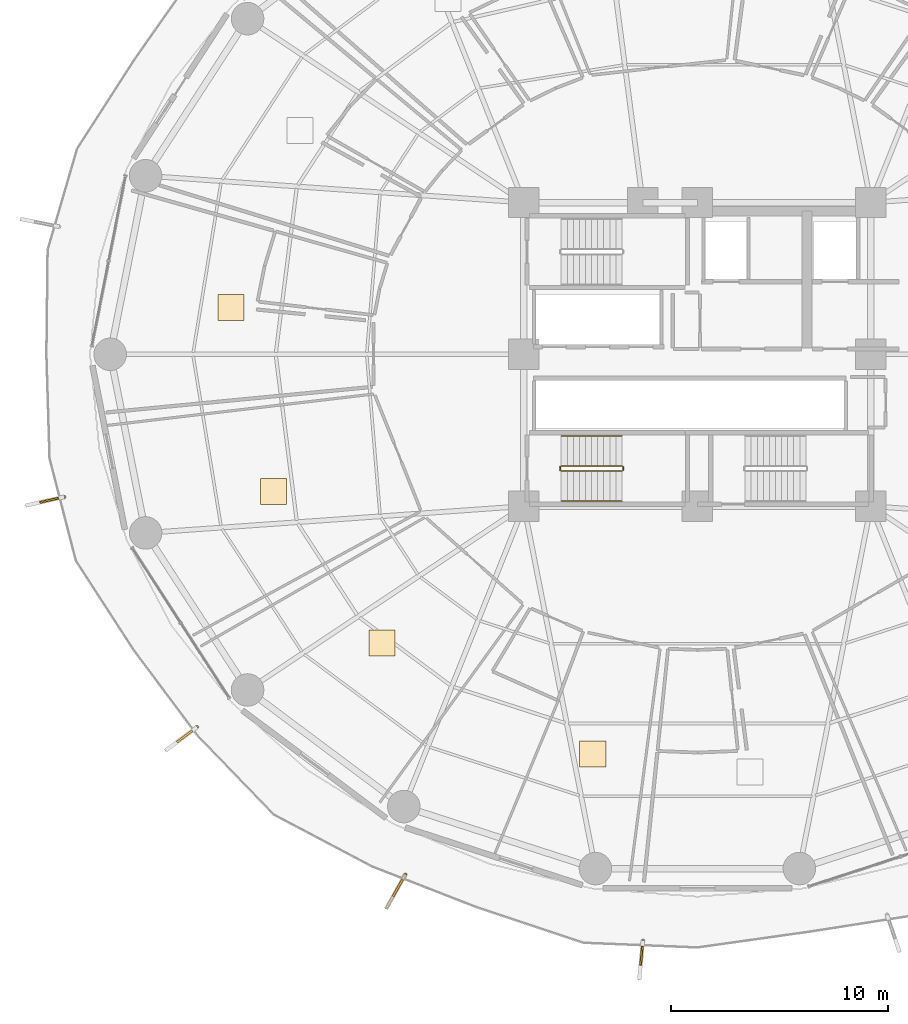
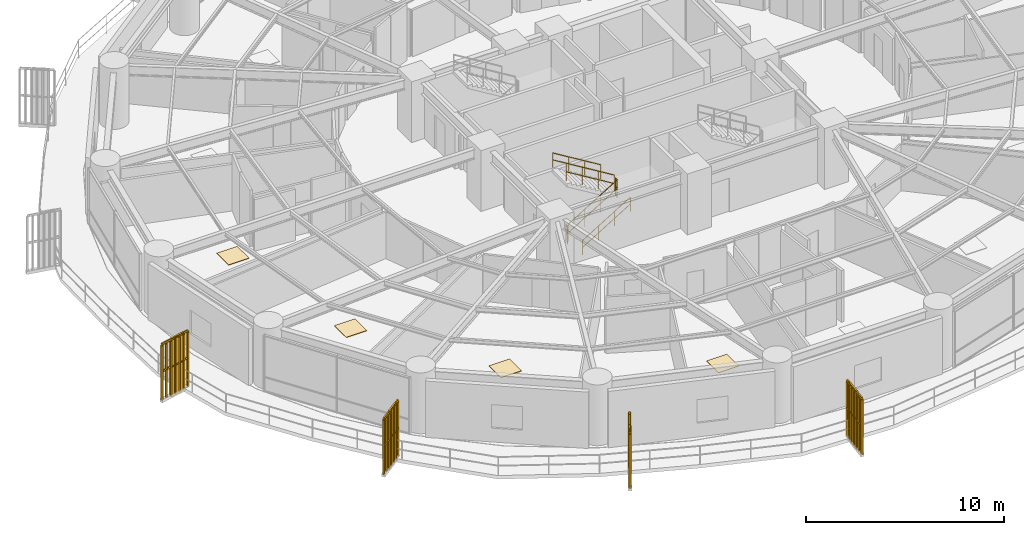
# One storey, part 28 of 32: 10 railings, 4 coverings, 4 shading devices.
"""IFC4 building model written with IfcOpenShell, lengths in metres."""

from ifc_helpers import new_model, si_unit, direction, frame, origin, origin_2d, place, context, subcontext, project, spatial, polyline, rectangle, outline, extrude, source, transform, mapped, material, layer, layer_set, type_object, element, save


model = new_model("IFC4")

# Units and contexts
model_context = context("Model", 3, precision=1e-05, world=origin(), true_north=direction((0.0, 1.0)))
body_context = subcontext(model_context, "Body", "Model", "MODEL_VIEW")
ifc_project = project(units=[si_unit("LENGTHUNIT", "METRE"), si_unit("AREAUNIT", "SQUARE_METRE"), si_unit("VOLUMEUNIT", "CUBIC_METRE"), si_unit("PLANEANGLEUNIT", "RADIAN"), si_unit("MASSUNIT", "GRAM", prefix="KILO")], contexts=[model_context])

# Site, building, storey
site_placement = place(None, origin())
site = spatial("IfcSite", under=ifc_project, at=site_placement, CompositionType="ELEMENT")
building_placement = place(site_placement, origin())
building = spatial("IfcBuilding", under=site, at=building_placement, Name="Kelanora Arch Commons", CompositionType="ELEMENT")
storey_placement = place(building_placement, frame((0.0, 0.0, 48.75)))
storey = spatial("IfcBuildingStorey", under=building, at=storey_placement, Name="L12", CompositionType="ELEMENT", Elevation=48.75)

# Railings
ifc_material_1 = material(Name="Anodised bronze vertical shading fin rib assembly")
railing_type_1 = type_object("IfcRailingType", Name="RAIL-FIN-BRZ", PredefinedType="BALUSTRADE", material=ifc_material_1)
railing_1_placement = place(storey_placement, frame((44.80810546875, 51.42822265625, -0.02001953125)))
element("IfcRailing", 1, at=railing_1_placement, inside=storey, type_object=railing_type_1, Name="Sweeping Bronze Vertical Fin Blade L12-07", PredefinedType="BALUSTRADE", context=body_context, shape_type="SweptSolid", body=[
    extrude(outline(polyline([(0.06982421875, 0.0), (0.034912109375, 0.060546875), (-0.034912109375, 0.060546875), (-0.06982421875, 0.0), (-0.034912109375, -0.060546875), (0.034912109375, -0.060546875), (0.06982421875, 0.0)])), frame((0.0, 0.0, 3.419921875), z_axis=(-0.975585345856, -0.219620656932, 0.0), x_axis=(0.219620656932, -0.975585345856, 0.0)), (0.0, 0.0, 1.0), 1.767578125),
    extrude(outline(polyline([(0.06982421875, 0.0), (0.034912109375, 0.060546875), (-0.034912109375, 0.060546875), (-0.06982421875, 0.0), (-0.034912109375, -0.060546875), (0.034912109375, -0.060546875), (0.06982421875, 0.0)])), frame((0.0, 0.0, 1.7451171875), z_axis=(-0.975585345856, -0.219620656932, 0.0), x_axis=(0.219620656932, -0.975585345856, 0.0)), (0.0, 0.0, 1.0), 1.767578125),
    extrude(outline(polyline([(0.080078125, 0.0), (0.0400390625, 0.0693359375), (-0.0400390625, 0.0693359375), (-0.080078125, 0.0), (-0.0400390625, -0.0693359375), (0.0400390625, -0.0693359375), (0.080078125, 0.0)])), origin(), (0.0, 0.0, 1.0), 3.35009765625),
    extrude(outline(polyline([(0.080078125, 0.0), (0.0400390625, 0.0693359375), (-0.0400390625, 0.0693359375), (-0.080078125, 0.0), (-0.0400390625, -0.0693359375), (0.0400390625, -0.0693359375), (0.080078125, 0.0)])), frame((-0.287353515625, -0.064697265625, 0.0)), (0.0, 0.0, 1.0), 3.35009765625),
    extrude(outline(polyline([(0.080078125, 0.0), (0.0400390625, 0.0693359375), (-0.0400390625, 0.0693359375), (-0.080078125, 0.0), (-0.0400390625, -0.0693359375), (0.0400390625, -0.0693359375), (0.080078125, 0.0)])), frame((-0.57470703125, -0.12939453125, 0.0)), (0.0, 0.0, 1.0), 3.35009765625),
    extrude(outline(polyline([(0.080078125, 0.0), (0.0400390625, 0.0693359375), (-0.0400390625, 0.0693359375), (-0.080078125, 0.0), (-0.0400390625, -0.0693359375), (0.0400390625, -0.0693359375), (0.080078125, 0.0)])), frame((-0.8623046875, -0.194091796875, 0.0)), (0.0, 0.0, 1.0), 3.35009765625),
    extrude(outline(polyline([(0.080078125, 0.0), (0.0400390625, 0.0693359375), (-0.0400390625, 0.0693359375), (-0.080078125, 0.0), (-0.0400390625, -0.0693359375), (0.0400390625, -0.0693359375), (0.080078125, 0.0)])), frame((-1.149658203125, -0.2587890625, 0.0)), (0.0, 0.0, 1.0), 3.35009765625),
    extrude(outline(polyline([(0.080078125, 0.0), (0.0400390625, 0.0693359375), (-0.0400390625, 0.0693359375), (-0.080078125, 0.0), (-0.0400390625, -0.0693359375), (0.0400390625, -0.0693359375), (0.080078125, 0.0)])), frame((-1.43701171875, -0.323486328125, 0.0)), (0.0, 0.0, 1.0), 3.35009765625),
    extrude(outline(polyline([(0.080078125, 0.0), (0.0400390625, 0.0693359375), (-0.0400390625, 0.0693359375), (-0.080078125, 0.0), (-0.0400390625, -0.0693359375), (0.0400390625, -0.0693359375), (0.080078125, 0.0)])), frame((-1.724365234375, -0.38818359375, 0.0)), (0.0, 0.0, 1.0), 3.35009765625),
])
railing_2_placement = place(storey_placement, frame((50.930419921875, 40.8125, -0.02001953125)))
element("IfcRailing", 2, at=railing_2_placement, inside=storey, type_object=railing_type_1, Name="Sweeping Bronze Vertical Fin Blade L12-08", PredefinedType="BALUSTRADE", context=body_context, shape_type="SweptSolid", body=[
    extrude(outline(polyline([(0.06982421875, 0.0), (0.034912109375, 0.060546875), (-0.034912109375, 0.060546875), (-0.06982421875, 0.0), (-0.034912109375, -0.060546875), (0.034912109375, -0.060546875), (0.06982421875, 0.0)])), frame((0.0, 0.0, 3.419921875), z_axis=(-0.801951594366, -0.597389019227, 0.0), x_axis=(0.597389019227, -0.801951594366, 0.0)), (0.0, 0.0, 1.0), 1.767578125),
    extrude(outline(polyline([(0.06982421875, 0.0), (0.034912109375, 0.060546875), (-0.034912109375, 0.060546875), (-0.06982421875, 0.0), (-0.034912109375, -0.060546875), (0.034912109375, -0.060546875), (0.06982421875, 0.0)])), frame((0.0, 0.0, 1.7451171875), z_axis=(-0.801951594366, -0.597389019227, 0.0), x_axis=(0.597389019227, -0.801951594366, 0.0)), (0.0, 0.0, 1.0), 1.767578125),
    extrude(outline(polyline([(0.080078125, 0.0), (0.0400390625, 0.0693359375), (-0.0400390625, 0.0693359375), (-0.080078125, 0.0), (-0.0400390625, -0.0693359375), (0.0400390625, -0.0693359375), (0.080078125, 0.0)])), origin(), (0.0, 0.0, 1.0), 3.35009765625),
    extrude(outline(polyline([(0.080078125, 0.0), (0.0400390625, 0.0693359375), (-0.0400390625, 0.0693359375), (-0.080078125, 0.0), (-0.0400390625, -0.0693359375), (0.0400390625, -0.0693359375), (0.080078125, 0.0)])), frame((-0.236328125, -0.176025390625, 0.0)), (0.0, 0.0, 1.0), 3.35009765625),
    extrude(outline(polyline([(0.080078125, 0.0), (0.0400390625, 0.0693359375), (-0.0400390625, 0.0693359375), (-0.080078125, 0.0), (-0.0400390625, -0.0693359375), (0.0400390625, -0.0693359375), (0.080078125, 0.0)])), frame((-0.472412109375, -0.35205078125, 0.0)), (0.0, 0.0, 1.0), 3.35009765625),
    extrude(outline(polyline([(0.080078125, 0.0), (0.0400390625, 0.0693359375), (-0.0400390625, 0.0693359375), (-0.080078125, 0.0), (-0.0400390625, -0.0693359375), (0.0400390625, -0.0693359375), (0.080078125, 0.0)])), frame((-0.708740234375, -0.52783203125, 0.0)), (0.0, 0.0, 1.0), 3.35009765625),
    extrude(outline(polyline([(0.080078125, 0.0), (0.0400390625, 0.0693359375), (-0.0400390625, 0.0693359375), (-0.080078125, 0.0), (-0.0400390625, -0.0693359375), (0.0400390625, -0.0693359375), (0.080078125, 0.0)])), frame((-0.945068359375, -0.703857421875, 0.0)), (0.0, 0.0, 1.0), 3.35009765625),
    extrude(outline(polyline([(0.080078125, 0.0), (0.0400390625, 0.0693359375), (-0.0400390625, 0.0693359375), (-0.080078125, 0.0), (-0.0400390625, -0.0693359375), (0.0400390625, -0.0693359375), (0.080078125, 0.0)])), frame((-1.18115234375, -0.8798828125, 0.0)), (0.0, 0.0, 1.0), 3.35009765625),
    extrude(outline(polyline([(0.080078125, 0.0), (0.0400390625, 0.0693359375), (-0.0400390625, 0.0693359375), (-0.080078125, 0.0), (-0.0400390625, -0.0693359375), (0.0400390625, -0.0693359375), (0.080078125, 0.0)])), frame((-1.41748046875, -1.055908203125, 0.0)), (0.0, 0.0, 1.0), 3.35009765625),
])
railing_3_placement = place(storey_placement, frame((60.53759765625, 34.023193359375, -0.02001953125)))
element("IfcRailing", 3, at=railing_3_placement, inside=storey, type_object=railing_type_1, Name="Sweeping Bronze Vertical Fin Blade L12-09", PredefinedType="BALUSTRADE", context=body_context, shape_type="SweptSolid", body=[
    extrude(outline(polyline([(0.06982421875, 0.0), (0.034912109375, 0.060546875), (-0.034912109375, 0.060546875), (-0.06982421875, 0.0), (-0.034912109375, -0.060546875), (0.034912109375, -0.060546875), (0.06982421875, 0.0)])), frame((0.0, 0.0, 3.419921875), z_axis=(-0.489520016257, -0.871992060562, 0.0), x_axis=(0.871992060562, -0.489520016257, 0.0)), (0.0, 0.0, 1.0), 1.767578125),
    extrude(outline(polyline([(0.06982421875, 0.0), (0.034912109375, 0.060546875), (-0.034912109375, 0.060546875), (-0.06982421875, 0.0), (-0.034912109375, -0.060546875), (0.034912109375, -0.060546875), (0.06982421875, 0.0)])), frame((0.0, 0.0, 1.7451171875), z_axis=(-0.489520016257, -0.871992060562, 0.0), x_axis=(0.871992060562, -0.489520016257, 0.0)), (0.0, 0.0, 1.0), 1.767578125),
    extrude(outline(polyline([(0.080078125, 0.0), (0.0400390625, 0.0693359375), (-0.0400390625, 0.0693359375), (-0.080078125, 0.0), (-0.0400390625, -0.0693359375), (0.0400390625, -0.0693359375), (0.080078125, 0.0)])), origin(), (0.0, 0.0, 1.0), 3.35009765625),
    extrude(outline(polyline([(0.080078125, 0.0), (0.0400390625, 0.0693359375), (-0.0400390625, 0.0693359375), (-0.080078125, 0.0), (-0.0400390625, -0.0693359375), (0.0400390625, -0.0693359375), (0.080078125, 0.0)])), frame((-0.144287109375, -0.2568359375, 0.0)), (0.0, 0.0, 1.0), 3.35009765625),
    extrude(outline(polyline([(0.080078125, 0.0), (0.0400390625, 0.0693359375), (-0.0400390625, 0.0693359375), (-0.080078125, 0.0), (-0.0400390625, -0.0693359375), (0.0400390625, -0.0693359375), (0.080078125, 0.0)])), frame((-0.288330078125, -0.513671875, 0.0)), (0.0, 0.0, 1.0), 3.35009765625),
    extrude(outline(polyline([(0.080078125, 0.0), (0.0400390625, 0.0693359375), (-0.0400390625, 0.0693359375), (-0.080078125, 0.0), (-0.0400390625, -0.0693359375), (0.0400390625, -0.0693359375), (0.080078125, 0.0)])), frame((-0.4326171875, -0.7705078125, 0.0)), (0.0, 0.0, 1.0), 3.35009765625),
    extrude(outline(polyline([(0.080078125, 0.0), (0.0400390625, 0.0693359375), (-0.0400390625, 0.0693359375), (-0.080078125, 0.0), (-0.0400390625, -0.0693359375), (0.0400390625, -0.0693359375), (0.080078125, 0.0)])), frame((-0.576904296875, -1.027587890625, 0.0)), (0.0, 0.0, 1.0), 3.35009765625),
    extrude(outline(polyline([(0.080078125, 0.0), (0.0400390625, 0.0693359375), (-0.0400390625, 0.0693359375), (-0.080078125, 0.0), (-0.0400390625, -0.0693359375), (0.0400390625, -0.0693359375), (0.080078125, 0.0)])), frame((-0.720947265625, -1.284423828125, 0.0)), (0.0, 0.0, 1.0), 3.35009765625),
    extrude(outline(polyline([(0.080078125, 0.0), (0.0400390625, 0.0693359375), (-0.0400390625, 0.0693359375), (-0.080078125, 0.0), (-0.0400390625, -0.0693359375), (0.0400390625, -0.0693359375), (0.080078125, 0.0)])), frame((-0.865234375, -1.541259765625, 0.0)), (0.0, 0.0, 1.0), 3.35009765625),
])
railing_4_placement = place(storey_placement, frame((71.487060546875, 30.9775390625, -0.02001953125)))
element("IfcRailing", 4, at=railing_4_placement, inside=storey, type_object=railing_type_1, Name="Sweeping Bronze Vertical Fin Blade L12-10", PredefinedType="BALUSTRADE", context=body_context, shape_type="SweptSolid", body=[
    extrude(outline(polyline([(0.06982421875, 0.0), (0.034912109375, 0.060546875), (-0.034912109375, 0.060546875), (-0.06982421875, 0.0), (-0.034912109375, -0.060546875), (0.034912109375, -0.060546875), (0.06982421875, 0.0)])), frame((0.0, 0.0, 3.419921875), z_axis=(-0.092553299138, -0.995707731625, 0.0), x_axis=(0.995707731625, -0.092553299138, 0.0)), (0.0, 0.0, 1.0), 1.767333984375),
    extrude(outline(polyline([(0.06982421875, 0.0), (0.034912109375, 0.060546875), (-0.034912109375, 0.060546875), (-0.06982421875, 0.0), (-0.034912109375, -0.060546875), (0.034912109375, -0.060546875), (0.06982421875, 0.0)])), frame((0.0, 0.0, 1.7451171875), z_axis=(-0.092553299138, -0.995707731625, 0.0), x_axis=(0.995707731625, -0.092553299138, 0.0)), (0.0, 0.0, 1.0), 1.767333984375),
    extrude(outline(polyline([(0.080078125, 0.0), (0.0400390625, 0.0693359375), (-0.0400390625, 0.0693359375), (-0.080078125, 0.0), (-0.0400390625, -0.0693359375), (0.0400390625, -0.0693359375), (0.080078125, 0.0)])), origin(), (0.0, 0.0, 1.0), 3.35009765625),
    extrude(outline(polyline([(0.080078125, 0.0), (0.0400390625, 0.0693359375), (-0.0400390625, 0.0693359375), (-0.080078125, 0.0), (-0.0400390625, -0.0693359375), (0.0400390625, -0.0693359375), (0.080078125, 0.0)])), frame((-0.02734375, -0.293212890625, 0.0)), (0.0, 0.0, 1.0), 3.35009765625),
    extrude(outline(polyline([(0.080078125, 0.0), (0.0400390625, 0.0693359375), (-0.0400390625, 0.0693359375), (-0.080078125, 0.0), (-0.0400390625, -0.0693359375), (0.0400390625, -0.0693359375), (0.080078125, 0.0)])), frame((-0.054443359375, -0.586669921875, 0.0)), (0.0, 0.0, 1.0), 3.35009765625),
    extrude(outline(polyline([(0.080078125, 0.0), (0.0400390625, 0.0693359375), (-0.0400390625, 0.0693359375), (-0.080078125, 0.0), (-0.0400390625, -0.0693359375), (0.0400390625, -0.0693359375), (0.080078125, 0.0)])), frame((-0.081787109375, -0.8798828125, 0.0)), (0.0, 0.0, 1.0), 3.35009765625),
    extrude(outline(polyline([(0.080078125, 0.0), (0.0400390625, 0.0693359375), (-0.0400390625, 0.0693359375), (-0.080078125, 0.0), (-0.0400390625, -0.0693359375), (0.0400390625, -0.0693359375), (0.080078125, 0.0)])), frame((-0.109130859375, -1.173095703125, 0.0)), (0.0, 0.0, 1.0), 3.35009765625),
    extrude(outline(polyline([(0.080078125, 0.0), (0.0400390625, 0.0693359375), (-0.0400390625, 0.0693359375), (-0.080078125, 0.0), (-0.0400390625, -0.0693359375), (0.0400390625, -0.0693359375), (0.080078125, 0.0)])), frame((-0.13623046875, -1.466552734375, 0.0)), (0.0, 0.0, 1.0), 3.35009765625),
    extrude(outline(polyline([(0.080078125, 0.0), (0.0400390625, 0.0693359375), (-0.0400390625, 0.0693359375), (-0.080078125, 0.0), (-0.0400390625, -0.0693359375), (0.0400390625, -0.0693359375), (0.080078125, 0.0)])), frame((-0.16357421875, -1.759765625, 0.0)), (0.0, 0.0, 1.0), 3.35009765625),
])
ifc_material_2 = material(Name="Painted steel stair well guard", Category="steel")
railing_type_2 = type_object("IfcRailingType", Name="RAIL-STAIR-GRD", PredefinedType="GUARDRAIL", material=ifc_material_2)
railing_5_placement = place(storey_placement, frame((67.719970703125, 52.610107421875, 0.17041015625)))
element("IfcRailing", 5, at=railing_5_placement, inside=storey, type_object=railing_type_2, Name="L12 ST-T3 stair guard 1", PredefinedType="GUARDRAIL", context=body_context, shape_type="SweptSolid", body=[
    extrude(outline(polyline([(0.02392578125, 0.0), (0.011962890625, 0.020751953125), (-0.011962890625, 0.020751953125), (-0.02392578125, 0.0), (-0.011962890625, -0.020751953125), (0.011962890625, -0.020751953125), (0.02392578125, 0.0)])), frame((0.0, 0.0, 1.076171875), z_axis=(0.854169791009, 0.0, 0.51999420009), x_axis=(0.0, 1.0, 0.0)), (0.0, 0.0, 1.0), 3.278076171875),
    extrude(outline(polyline([(0.02392578125, 0.0), (0.011962890625, 0.020751953125), (-0.011962890625, 0.020751953125), (-0.02392578125, 0.0), (-0.011962890625, -0.020751953125), (0.011962890625, -0.020751953125), (0.02392578125, 0.0)])), frame((0.0, 0.0, 0.550048828125), z_axis=(0.854169791009, 0.0, 0.51999420009), x_axis=(0.0, 1.0, 0.0)), (0.0, 0.0, 1.0), 3.278076171875),
    extrude(outline(polyline([(0.02099609375, 0.0), (0.010498046875, 0.01806640625), (-0.010498046875, 0.01806640625), (-0.02099609375, 0.0), (-0.010498046875, -0.01806640625), (0.010498046875, -0.01806640625), (0.02099609375, 0.0)])), origin(), (0.0, 0.0, 1.0), 1.052001953125),
    extrude(outline(polyline([(0.02099609375, 0.0), (0.010498046875, 0.01806640625), (-0.010498046875, 0.01806640625), (-0.02099609375, 0.0), (-0.010498046875, -0.01806640625), (0.010498046875, -0.01806640625), (0.02099609375, 0.0)])), frame((0.933349609375, 0.0, 0.568115234375)), (0.0, 0.0, 1.0), 1.052001953125),
    extrude(outline(polyline([(0.02099609375, 0.0), (0.010498046875, 0.01806640625), (-0.010498046875, 0.01806640625), (-0.02099609375, 0.0), (-0.010498046875, -0.01806640625), (0.010498046875, -0.01806640625), (0.02099609375, 0.0)])), frame((1.86669921875, 0.0, 1.136474609375)), (0.0, 0.0, 1.0), 1.052001953125),
    extrude(outline(polyline([(0.02099609375, 0.0), (0.010498046875, 0.01806640625), (-0.010498046875, 0.01806640625), (-0.02099609375, 0.0), (-0.010498046875, -0.01806640625), (0.010498046875, -0.01806640625), (0.02099609375, 0.0)])), frame((2.800048828125, 0.0, 1.70458984375)), (0.0, 0.0, 1.0), 1.052001953125),
])
railing_6_placement = place(storey_placement, frame((70.570068359375, 52.659912109375, 1.875)))
element("IfcRailing", 6, at=railing_6_placement, inside=storey, type_object=railing_type_2, Name="L12 ST-T3 stair guard 2", PredefinedType="GUARDRAIL", context=body_context, shape_type="SweptSolid", body=[
    extrude(outline(polyline([(0.02392578125, 0.0), (0.011962890625, 0.020751953125), (-0.011962890625, 0.020751953125), (-0.02392578125, 0.0), (-0.011962890625, -0.020751953125), (0.011962890625, -0.020751953125), (0.02392578125, 0.0)])), frame((0.0, 0.0, 1.076171875), z_axis=(0.0, 1.0, 0.0), x_axis=(-1.0, 0.0, 0.0)), (0.0, 0.0, 1.0), 0.150146484375),
    extrude(outline(polyline([(0.02392578125, 0.0), (0.011962890625, 0.020751953125), (-0.011962890625, 0.020751953125), (-0.02392578125, 0.0), (-0.011962890625, -0.020751953125), (0.011962890625, -0.020751953125), (0.02392578125, 0.0)])), frame((0.0, 0.0, 0.550048828125), z_axis=(0.0, 1.0, 0.0), x_axis=(-1.0, 0.0, 0.0)), (0.0, 0.0, 1.0), 0.150146484375),
    extrude(outline(polyline([(0.02099609375, 0.0), (0.010498046875, 0.01806640625), (-0.010498046875, 0.01806640625), (-0.02099609375, 0.0), (-0.010498046875, -0.01806640625), (0.010498046875, -0.01806640625), (0.02099609375, 0.0)])), origin(), (0.0, 0.0, 1.0), 1.052001953125),
    extrude(outline(polyline([(0.02099609375, 0.0), (0.010498046875, 0.01806640625), (-0.010498046875, 0.01806640625), (-0.02099609375, 0.0), (-0.010498046875, -0.01806640625), (0.010498046875, -0.01806640625), (0.02099609375, 0.0)])), frame((0.0, 0.150146484375, 0.0)), (0.0, 0.0, 1.0), 1.052001953125),
])
railing_7_placement = place(storey_placement, frame((70.52001953125, 52.860107421875, 2.04541015625)))
element("IfcRailing", 7, at=railing_7_placement, inside=storey, type_object=railing_type_2, Name="L12 ST-T3 stair guard 3", PredefinedType="GUARDRAIL", context=body_context, shape_type="SweptSolid", body=[
    extrude(outline(polyline([(0.02392578125, 0.0), (0.011962890625, 0.020751953125), (-0.011962890625, 0.020751953125), (-0.02392578125, 0.0), (-0.011962890625, -0.020751953125), (0.011962890625, -0.020751953125), (0.02392578125, 0.0)])), frame((0.0, 0.0, 1.076171875), z_axis=(-0.854169791009, 0.0, 0.51999420009), x_axis=(0.0, -1.0, 0.0)), (0.0, 0.0, 1.0), 3.278076171875),
    extrude(outline(polyline([(0.02392578125, 0.0), (0.011962890625, 0.020751953125), (-0.011962890625, 0.020751953125), (-0.02392578125, 0.0), (-0.011962890625, -0.020751953125), (0.011962890625, -0.020751953125), (0.02392578125, 0.0)])), frame((0.0, 0.0, 0.550048828125), z_axis=(-0.854169791009, 0.0, 0.51999420009), x_axis=(0.0, -1.0, 0.0)), (0.0, 0.0, 1.0), 3.278076171875),
    extrude(outline(polyline([(0.02099609375, 0.0), (0.010498046875, 0.01806640625), (-0.010498046875, 0.01806640625), (-0.02099609375, 0.0), (-0.010498046875, -0.01806640625), (0.010498046875, -0.01806640625), (0.02099609375, 0.0)])), origin(), (0.0, 0.0, 1.0), 1.052001953125),
    extrude(outline(polyline([(0.02099609375, 0.0), (0.010498046875, 0.01806640625), (-0.010498046875, 0.01806640625), (-0.02099609375, 0.0), (-0.010498046875, -0.01806640625), (0.010498046875, -0.01806640625), (0.02099609375, 0.0)])), frame((-0.933349609375, 0.0, 0.568115234375)), (0.0, 0.0, 1.0), 1.052001953125),
    extrude(outline(polyline([(0.02099609375, 0.0), (0.010498046875, 0.01806640625), (-0.010498046875, 0.01806640625), (-0.02099609375, 0.0), (-0.010498046875, -0.01806640625), (0.010498046875, -0.01806640625), (0.02099609375, 0.0)])), frame((-1.86669921875, 0.0, 1.136474609375)), (0.0, 0.0, 1.0), 1.052001953125),
    extrude(outline(polyline([(0.02099609375, 0.0), (0.010498046875, 0.01806640625), (-0.010498046875, 0.01806640625), (-0.02099609375, 0.0), (-0.010498046875, -0.01806640625), (0.010498046875, -0.01806640625), (0.02099609375, 0.0)])), frame((-2.800048828125, 0.0, 1.70458984375)), (0.0, 0.0, 1.0), 1.052001953125),
])
railing_8_placement = place(storey_placement, frame((67.669921875, 52.659912109375, 0.0)))
element("IfcRailing", 8, at=railing_8_placement, inside=storey, type_object=railing_type_2, Name="L12 ST-T3 stair guard 4", PredefinedType="GUARDRAIL", context=body_context, shape_type="SweptSolid", body=[
    extrude(outline(polyline([(0.02392578125, 0.0), (0.011962890625, 0.020751953125), (-0.011962890625, 0.020751953125), (-0.02392578125, 0.0), (-0.011962890625, -0.020751953125), (0.011962890625, -0.020751953125), (0.02392578125, 0.0)])), frame((0.0, 0.0, 1.076171875), z_axis=(0.0, 1.0, 0.0), x_axis=(-1.0, 0.0, 0.0)), (0.0, 0.0, 1.0), 0.150146484375),
    extrude(outline(polyline([(0.02392578125, 0.0), (0.011962890625, 0.020751953125), (-0.011962890625, 0.020751953125), (-0.02392578125, 0.0), (-0.011962890625, -0.020751953125), (0.011962890625, -0.020751953125), (0.02392578125, 0.0)])), frame((0.0, 0.0, 0.550048828125), z_axis=(0.0, 1.0, 0.0), x_axis=(-1.0, 0.0, 0.0)), (0.0, 0.0, 1.0), 0.150146484375),
    extrude(outline(polyline([(0.02099609375, 0.0), (0.010498046875, 0.01806640625), (-0.010498046875, 0.01806640625), (-0.02099609375, 0.0), (-0.010498046875, -0.01806640625), (0.010498046875, -0.01806640625), (0.02099609375, 0.0)])), origin(), (0.0, 0.0, 1.0), 1.052001953125),
    extrude(outline(polyline([(0.02099609375, 0.0), (0.010498046875, 0.01806640625), (-0.010498046875, 0.01806640625), (-0.02099609375, 0.0), (-0.010498046875, -0.01806640625), (0.010498046875, -0.01806640625), (0.02099609375, 0.0)])), frame((0.0, 0.150146484375, 0.0)), (0.0, 0.0, 1.0), 1.052001953125),
])
ifc_material_3 = material(Name="Brushed stainless steel stair handrail", Category="steel")
railing_type_3 = type_object("IfcRailingType", Name="RAIL-STAIR-HND", PredefinedType="HANDRAIL", material=ifc_material_3)
railing_9_placement = place(storey_placement, frame((67.719970703125, 51.22998046875, 0.17041015625)))
element("IfcRailing", 9, at=railing_9_placement, inside=storey, type_object=railing_type_3, Name="L12 ST-T3 stair handrail 1", PredefinedType="HANDRAIL", context=body_context, shape_type="SweptSolid", body=[
    extrude(outline(polyline([(0.02392578125, 0.0), (0.011962890625, 0.020751953125), (-0.011962890625, 0.020751953125), (-0.02392578125, 0.0), (-0.011962890625, -0.020751953125), (0.011962890625, -0.020751953125), (0.02392578125, 0.0)])), frame((0.0, 0.0, 0.8759765625), z_axis=(0.854169791009, 0.0, 0.51999420009), x_axis=(0.0, 1.0, 0.0)), (0.0, 0.0, 1.0), 3.278076171875),
    extrude(outline(polyline([(0.02392578125, 0.0), (0.011962890625, 0.020751953125), (-0.011962890625, 0.020751953125), (-0.02392578125, 0.0), (-0.011962890625, -0.020751953125), (0.011962890625, -0.020751953125), (0.02392578125, 0.0)])), frame((0.0, 0.0, 0.449951171875), z_axis=(0.854169791009, 0.0, 0.51999420009), x_axis=(0.0, 1.0, 0.0)), (0.0, 0.0, 1.0), 3.278076171875),
    extrude(outline(polyline([(0.02099609375, 0.0), (0.010498046875, 0.01806640625), (-0.010498046875, 0.01806640625), (-0.02099609375, 0.0), (-0.010498046875, -0.01806640625), (0.010498046875, -0.01806640625), (0.02099609375, 0.0)])), origin(), (0.0, 0.0, 1.0), 0.851806640625),
    extrude(outline(polyline([(0.02099609375, 0.0), (0.010498046875, 0.01806640625), (-0.010498046875, 0.01806640625), (-0.02099609375, 0.0), (-0.010498046875, -0.01806640625), (0.010498046875, -0.01806640625), (0.02099609375, 0.0)])), frame((0.933349609375, 0.0, 0.568115234375)), (0.0, 0.0, 1.0), 0.851806640625),
    extrude(outline(polyline([(0.02099609375, 0.0), (0.010498046875, 0.01806640625), (-0.010498046875, 0.01806640625), (-0.02099609375, 0.0), (-0.010498046875, -0.01806640625), (0.010498046875, -0.01806640625), (0.02099609375, 0.0)])), frame((1.86669921875, 0.0, 1.136474609375)), (0.0, 0.0, 1.0), 0.851806640625),
    extrude(outline(polyline([(0.02099609375, 0.0), (0.010498046875, 0.01806640625), (-0.010498046875, 0.01806640625), (-0.02099609375, 0.0), (-0.010498046875, -0.01806640625), (0.010498046875, -0.01806640625), (0.02099609375, 0.0)])), frame((2.800048828125, 0.0, 1.70458984375)), (0.0, 0.0, 1.0), 0.851806640625),
])
railing_10_placement = place(storey_placement, frame((70.52001953125, 54.239990234375, 2.04541015625)))
element("IfcRailing", 10, at=railing_10_placement, inside=storey, type_object=railing_type_3, Name="L12 ST-T3 stair handrail 2", PredefinedType="HANDRAIL", context=body_context, shape_type="SweptSolid", body=[
    extrude(outline(polyline([(0.02392578125, 0.0), (0.011962890625, 0.020751953125), (-0.011962890625, 0.020751953125), (-0.02392578125, 0.0), (-0.011962890625, -0.020751953125), (0.011962890625, -0.020751953125), (0.02392578125, 0.0)])), frame((0.0, 0.0, 0.8759765625), z_axis=(-0.854169791009, 0.0, 0.51999420009), x_axis=(0.0, -1.0, 0.0)), (0.0, 0.0, 1.0), 3.278076171875),
    extrude(outline(polyline([(0.02392578125, 0.0), (0.011962890625, 0.020751953125), (-0.011962890625, 0.020751953125), (-0.02392578125, 0.0), (-0.011962890625, -0.020751953125), (0.011962890625, -0.020751953125), (0.02392578125, 0.0)])), frame((0.0, 0.0, 0.449951171875), z_axis=(-0.854169791009, 0.0, 0.51999420009), x_axis=(0.0, -1.0, 0.0)), (0.0, 0.0, 1.0), 3.278076171875),
    extrude(outline(polyline([(0.02099609375, 0.0), (0.010498046875, 0.01806640625), (-0.010498046875, 0.01806640625), (-0.02099609375, 0.0), (-0.010498046875, -0.01806640625), (0.010498046875, -0.01806640625), (0.02099609375, 0.0)])), origin(), (0.0, 0.0, 1.0), 0.851806640625),
    extrude(outline(polyline([(0.02099609375, 0.0), (0.010498046875, 0.01806640625), (-0.010498046875, 0.01806640625), (-0.02099609375, 0.0), (-0.010498046875, -0.01806640625), (0.010498046875, -0.01806640625), (0.02099609375, 0.0)])), frame((-0.933349609375, 0.0, 0.568115234375)), (0.0, 0.0, 1.0), 0.851806640625),
    extrude(outline(polyline([(0.02099609375, 0.0), (0.010498046875, 0.01806640625), (-0.010498046875, 0.01806640625), (-0.02099609375, 0.0), (-0.010498046875, -0.01806640625), (0.010498046875, -0.01806640625), (0.02099609375, 0.0)])), frame((-1.86669921875, 0.0, 1.136474609375)), (0.0, 0.0, 1.0), 0.851806640625),
    extrude(outline(polyline([(0.02099609375, 0.0), (0.010498046875, 0.01806640625), (-0.010498046875, 0.01806640625), (-0.02099609375, 0.0), (-0.010498046875, -0.01806640625), (0.010498046875, -0.01806640625), (0.02099609375, 0.0)])), frame((-2.800048828125, 0.0, 1.70458984375)), (0.0, 0.0, 1.0), 0.851806640625),
])

# Shading devices
ifc_material_4 = material(Name="Terracotta ceramic-clad extruded aluminium fin", Category="masonry")
shading_device_type = type_object("IfcShadingDeviceType", Name="SHD-FIN-FLARE", PredefinedType="USERDEFINED", material=ifc_material_4)
shared_shape_1 = source(origin(), body_context, "Body", "SweptSolid", [
    extrude(rectangle(XDim=0.8798828125, YDim=0.090087890625, at=origin_2d()), origin(), (0.0, 0.0, 1.0), 3.610107421875),
])
for number, where, z_axis, x_axis, name in (
    (11, (44.105712890625, 51.27001953125, -0.14013671875), (0.0, 0.0, 1.0), (-0.975572899489, -0.219675938108, 0.0), "Sweeping Terracotta Fin L12-07"),
    (12, (50.352783203125, 40.38232421875, -0.14013671875), (0.0, 0.0, 1.0), (-0.801879937297, -0.597485201625, 0.0), "Sweeping Terracotta Fin L12-08"),
    (13, (60.185302734375, 33.3955078125, -0.14013671875), (0.0, 0.0, 1.0), (-0.489534649095, -0.871983845799, 0.0), "Sweeping Terracotta Fin L12-09"),
    (14, (71.42041015625, 30.2607421875, -0.14013671875), (0.0, 0.0, 1.0), (-0.092544372783, -0.99570856131, 0.0), "Sweeping Terracotta Fin L12-10"),
):
    element("IfcShadingDevice", number, at=place(storey_placement, frame(where, z_axis=z_axis, x_axis=x_axis)), inside=storey, type_object=shading_device_type, Name=name, ObjectType="FIN", PredefinedType="USERDEFINED", context=body_context, shape_type="MappedRepresentation", body=[
        mapped(shared_shape_1, transform((0.0, 0.0, 0.0), scale=1.0)),
    ])

# Coverings
ifc_material_5 = material(Name="Polished local granite terrazzo flooring", Category="masonry")
ifc_layer = layer(ifc_material_5, 0.030029296875)
ifc_layer_set = layer_set([ifc_layer], Name="Polished local granite terrazzo flooring")
covering_type = type_object("IfcCoveringType", Name="COV-FLR-TER", PredefinedType="FLOORING", material=ifc_layer_set)
shared_shape_2 = source(origin(), body_context, "Body", "SweptSolid", [
    extrude(rectangle(XDim=1.199951171875, YDim=1.199951171875, at=origin_2d()), origin(), (0.0, 0.0, 1.0), 0.030029296875),
])
for number, where, z_axis, x_axis, name in (
    (15, (52.49462890625, 60.169677734375, 0.0), (0.0, 0.0, 1.0), (1.0, 0.0, 0.0), "Co-Living Studio L12-07 Terrazzo Finish"),
    (16, (54.457275390625, 51.672607421875, 0.0), (0.0, 0.0, 1.0), (1.0, 0.0, 0.0), "Quiet Seminar Study Room L12-08 Terrazzo Finish"),
    (17, (59.45458984375, 44.697265625, 0.0), (0.0, 0.0, 1.0), (1.0, 0.0, 0.0), "Social Sky Lounge L12-09 Terrazzo Finish"),
    (18, (69.173583984375, 39.57470703125, 0.0), (0.0, 0.0, 1.0), (1.0, 0.0, 0.0), "Tutorial Study Alcove L12-10 Terrazzo Finish"),
):
    element("IfcCovering", number, at=place(storey_placement, frame(where, z_axis=z_axis, x_axis=x_axis)), inside=storey, type_object=covering_type, Name=name, PredefinedType="FLOORING", context=body_context, shape_type="MappedRepresentation", body=[
        mapped(shared_shape_2, transform((0.0, 0.0, 0.0), scale=1.0)),
    ])

save(model, "model.ifc")
